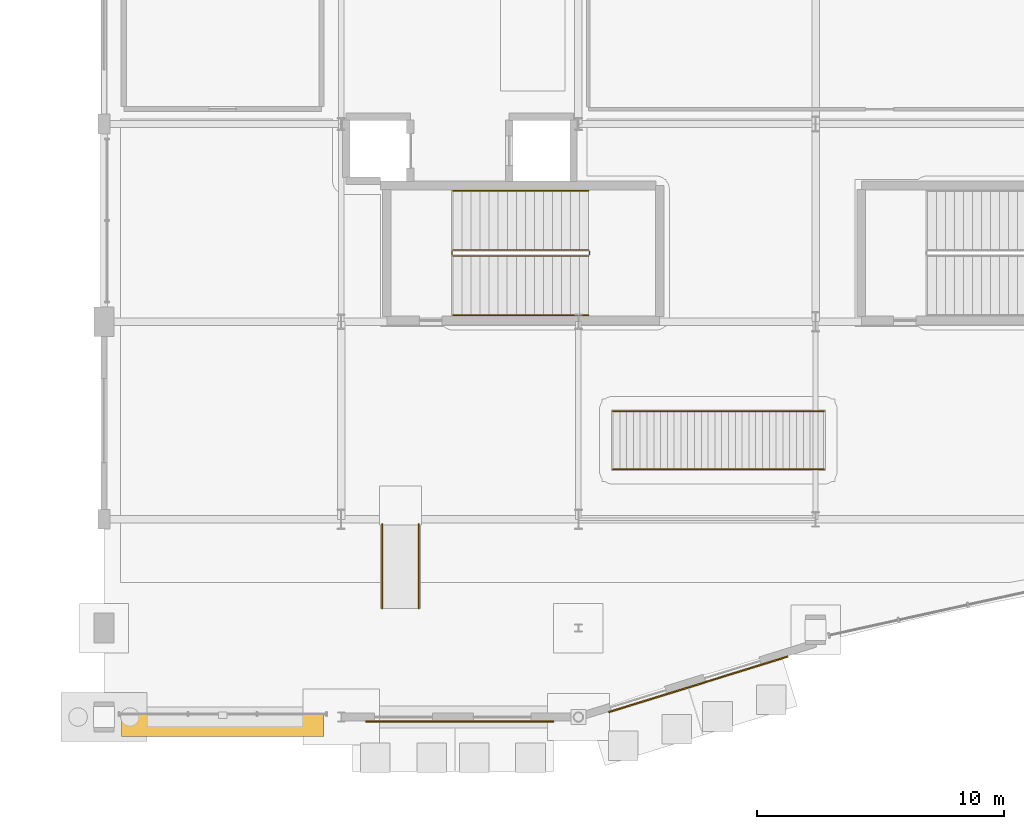
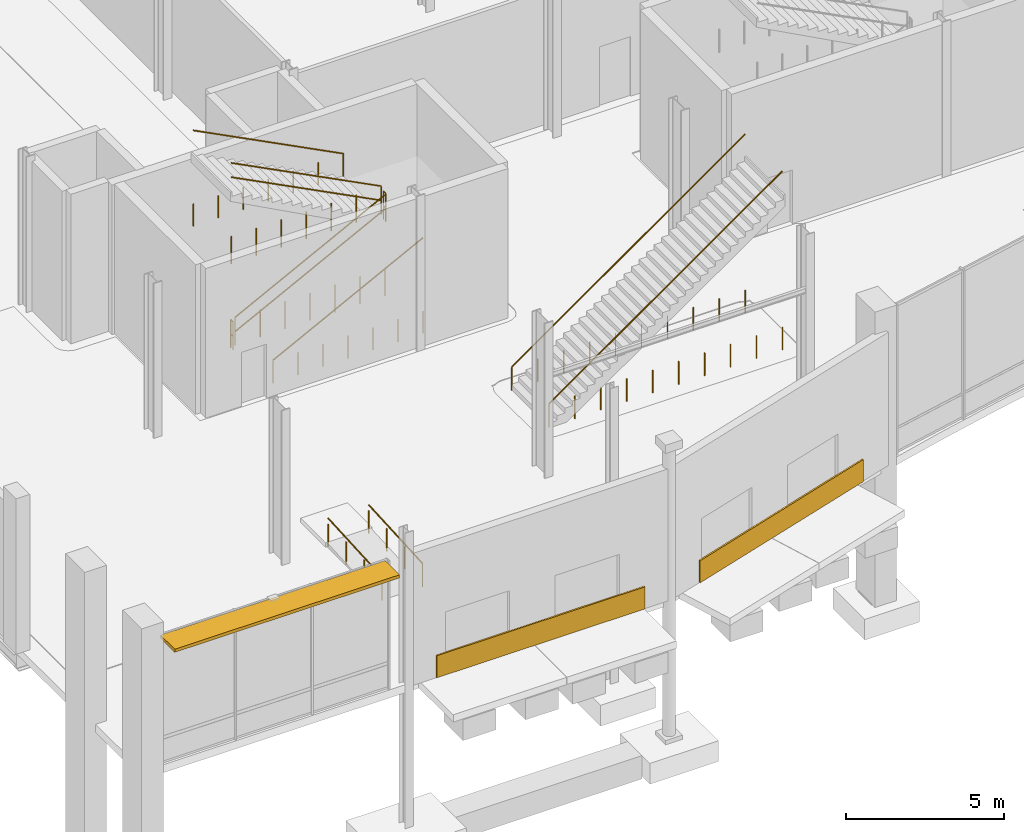
# One storey, part 102 of 124: 10 railings, 2 coverings, 1 shading device.
"""IFC4 building model written with IfcOpenShell, lengths in metres."""

from ifc_helpers import new_model, si_unit, direction, frame, origin, origin_2d, place, context, subcontext, project, spatial, rectangle, circle, extrude, material, layer, layer_set, type_object, element, save


model = new_model("IFC4")

# Units and contexts
model_context = context("Model", 3, precision=1e-05, world=origin(), true_north=direction((0.0, 1.0)))
body_context = subcontext(model_context, "Body", "Model", "MODEL_VIEW")
ifc_project = project(units=[si_unit("LENGTHUNIT", "METRE"), si_unit("AREAUNIT", "SQUARE_METRE"), si_unit("VOLUMEUNIT", "CUBIC_METRE"), si_unit("PLANEANGLEUNIT", "RADIAN"), si_unit("MASSUNIT", "GRAM", prefix="KILO")], contexts=[model_context])

# Site, building, storey
site_placement = place(None, origin())
site = spatial("IfcSite", under=ifc_project, at=site_placement, CompositionType="ELEMENT")
building_placement = place(site_placement, origin())
building = spatial("IfcBuilding", under=site, at=building_placement, Name="Danafjord Basin Convention Centre", CompositionType="ELEMENT")
storey_placement = place(building_placement, origin())
storey = spatial("IfcBuildingStorey", under=building, at=storey_placement, Name="L00", CompositionType="ELEMENT", Elevation=0.0)

# Coverings
ifc_material_1 = material(Name="Board-marked precast concrete rainscreen", Category="concrete")
ifc_layer = layer(ifc_material_1, 0.06005859375)
ifc_layer_set = layer_set([ifc_layer], Name="Board-marked precast concrete rainscreen")
covering_type = type_object("IfcCoveringType", Name="COV-CLAD-PC", PredefinedType="CLADDING", material=ifc_layer_set)
for number, where, z_axis, x_axis, name in (
    (1, (14.39990234375, -0.175048828125, 0.02490234375), (0.0, 0.0, 1.0), (1.0, 0.0, 0.0), "L00 board-marked precast spandrel cladding"),
    (2, (24.052001953125, 1.322998046875, 0.02490234375), (0.0, 0.0, 1.0), (0.955044712757, 0.296461796249, 0.0), "L00 board-marked precast spandrel cladding"),
):
    element("IfcCovering", number, at=place(storey_placement, frame(where, z_axis=z_axis, x_axis=x_axis)), inside=storey, type_object=covering_type, Name=name, PredefinedType="CLADDING", context=body_context, shape_type="SweptSolid", body=[
        extrude(rectangle(XDim=7.60009765625, YDim=0.06005859375, at=origin_2d()), origin(), (0.0, 0.0, 1.0), 0.85009765625),
    ])

# Railings
ifc_material_2 = material(Name="Galvanised steel S355", Category="steel")
railing_type_1 = type_object("IfcRailingType", Name="RL-GD-WELL", PredefinedType="BALUSTRADE", material=ifc_material_2)
railing_1_placement = place(storey_placement, frame((14.1298828125, 18.659912109375, 0.1875)))
element("IfcRailing", 3, at=railing_1_placement, inside=storey, type_object=railing_type_1, Name="L00 ST-01 stair guard 1", PredefinedType="BALUSTRADE", context=body_context, shape_type="SweptSolid", body=[
    extrude(circle(Radius=0.02392578125, at=origin_2d()), frame((0.0, 0.0, 1.076171875), z_axis=(0.889503409663, 0.0, 0.456928532922), x_axis=(0.0, 1.0, 0.0)), (0.0, 0.0, 1.0), 6.1552734375),
    extrude(circle(Radius=0.02392578125, at=origin_2d()), frame((0.0, 0.0, 0.52587890625), z_axis=(0.889503409663, 0.0, 0.456928532922), x_axis=(0.0, 1.0, 0.0)), (0.0, 0.0, 1.0), 6.1552734375),
    extrude(circle(Radius=0.02099609375, at=origin_2d()), origin(), (0.0, 0.0, 1.0), 1.050048828125),
    extrude(circle(Radius=0.02099609375, at=origin_2d()), frame((0.91259765625, 0.0, 0.0)), (0.0, 0.0, 1.0), 1.050048828125),
    extrude(circle(Radius=0.02099609375, at=origin_2d()), frame((1.824951171875, 0.0, 0.0)), (0.0, 0.0, 1.0), 1.050048828125),
    extrude(circle(Radius=0.02099609375, at=origin_2d()), frame((2.737548828125, 0.0, 0.0)), (0.0, 0.0, 1.0), 1.050048828125),
    extrude(circle(Radius=0.02099609375, at=origin_2d()), frame((3.650146484375, 0.0, 0.0)), (0.0, 0.0, 1.0), 1.050048828125),
    extrude(circle(Radius=0.02099609375, at=origin_2d()), frame((4.5625, 0.0, 0.0)), (0.0, 0.0, 1.0), 1.050048828125),
    extrude(circle(Radius=0.02099609375, at=origin_2d()), frame((5.47509765625, 0.0, 0.0)), (0.0, 0.0, 1.0), 1.050048828125),
])
railing_2_placement = place(storey_placement, frame((19.655029296875, 18.7099609375, 3.0)))
element("IfcRailing", 4, at=railing_2_placement, inside=storey, type_object=railing_type_1, Name="L00 ST-01 stair guard 2", PredefinedType="BALUSTRADE", context=body_context, shape_type="SweptSolid", body=[
    extrude(circle(Radius=0.02392578125, at=origin_2d()), frame((0.0, 0.0, 1.076171875), z_axis=(0.0, 1.0, 0.0), x_axis=(-1.0, 0.0, 0.0)), (0.0, 0.0, 1.0), 0.14013671875),
    extrude(circle(Radius=0.02392578125, at=origin_2d()), frame((0.0, 0.0, 0.52587890625), z_axis=(0.0, 1.0, 0.0), x_axis=(-1.0, 0.0, 0.0)), (0.0, 0.0, 1.0), 0.14013671875),
    extrude(circle(Radius=0.02099609375, at=origin_2d()), origin(), (0.0, 0.0, 1.0), 1.050048828125),
    extrude(circle(Radius=0.02099609375, at=origin_2d()), frame((0.0, 0.14013671875, 0.0)), (0.0, 0.0, 1.0), 1.050048828125),
])
railing_3_placement = place(storey_placement, frame((19.60498046875, 18.89990234375, 3.1875)))
element("IfcRailing", 5, at=railing_3_placement, inside=storey, type_object=railing_type_1, Name="L00 ST-01 stair guard 3", PredefinedType="BALUSTRADE", context=body_context, shape_type="SweptSolid", body=[
    extrude(circle(Radius=0.02392578125, at=origin_2d()), frame((0.0, 0.0, 1.076171875), z_axis=(-0.889503409663, 0.0, 0.456928532922), x_axis=(0.0, -1.0, 0.0)), (0.0, 0.0, 1.0), 6.1552734375),
    extrude(circle(Radius=0.02392578125, at=origin_2d()), frame((0.0, 0.0, 0.52587890625), z_axis=(-0.889503409663, 0.0, 0.456928532922), x_axis=(0.0, -1.0, 0.0)), (0.0, 0.0, 1.0), 6.1552734375),
    extrude(circle(Radius=0.02099609375, at=origin_2d()), origin(), (0.0, 0.0, 1.0), 1.050048828125),
    extrude(circle(Radius=0.02099609375, at=origin_2d()), frame((-0.91259765625, 0.0, 0.0)), (0.0, 0.0, 1.0), 1.050048828125),
    extrude(circle(Radius=0.02099609375, at=origin_2d()), frame((-1.824951171875, 0.0, 0.0)), (0.0, 0.0, 1.0), 1.050048828125),
    extrude(circle(Radius=0.02099609375, at=origin_2d()), frame((-2.737548828125, 0.0, 0.0)), (0.0, 0.0, 1.0), 1.050048828125),
    extrude(circle(Radius=0.02099609375, at=origin_2d()), frame((-3.650146484375, 0.0, 0.0)), (0.0, 0.0, 1.0), 1.050048828125),
    extrude(circle(Radius=0.02099609375, at=origin_2d()), frame((-4.5625, 0.0, 0.0)), (0.0, 0.0, 1.0), 1.050048828125),
    extrude(circle(Radius=0.02099609375, at=origin_2d()), frame((-5.47509765625, 0.0, 0.0)), (0.0, 0.0, 1.0), 1.050048828125),
])
railing_4_placement = place(storey_placement, frame((14.080078125, 18.7099609375, 0.0)))
element("IfcRailing", 6, at=railing_4_placement, inside=storey, type_object=railing_type_1, Name="L00 ST-01 stair guard 4", PredefinedType="BALUSTRADE", context=body_context, shape_type="SweptSolid", body=[
    extrude(circle(Radius=0.02392578125, at=origin_2d()), frame((0.0, 0.0, 1.076171875), z_axis=(0.0, 1.0, 0.0), x_axis=(-1.0, 0.0, 0.0)), (0.0, 0.0, 1.0), 0.14013671875),
    extrude(circle(Radius=0.02392578125, at=origin_2d()), frame((0.0, 0.0, 0.52587890625), z_axis=(0.0, 1.0, 0.0), x_axis=(-1.0, 0.0, 0.0)), (0.0, 0.0, 1.0), 0.14013671875),
    extrude(circle(Radius=0.02099609375, at=origin_2d()), origin(), (0.0, 0.0, 1.0), 1.050048828125),
    extrude(circle(Radius=0.02099609375, at=origin_2d()), frame((0.0, 0.14013671875, 0.0)), (0.0, 0.0, 1.0), 1.050048828125),
])
ifc_material_3 = material(Name="Brushed stainless steel EN 1.4404", Category="steel")
railing_type_2 = type_object("IfcRailingType", Name="RL-HR-STAIR", PredefinedType="HANDRAIL", material=ifc_material_3)
railing_5_placement = place(storey_placement, frame((14.1298828125, 16.260009765625, 0.1875)))
element("IfcRailing", 7, at=railing_5_placement, inside=storey, type_object=railing_type_2, Name="L00 ST-01 stair handrail 1", PredefinedType="HANDRAIL", context=body_context, shape_type="SweptSolid", body=[
    extrude(circle(Radius=0.02392578125, at=origin_2d()), frame((0.0, 0.0, 0.8759765625), z_axis=(0.889503409663, 0.0, 0.456928532922), x_axis=(0.0, 1.0, 0.0)), (0.0, 0.0, 1.0), 6.1552734375),
    extrude(circle(Radius=0.02099609375, at=origin_2d()), origin(), (0.0, 0.0, 1.0), 0.849853515625),
    extrude(circle(Radius=0.02099609375, at=origin_2d()), frame((0.91259765625, 0.0, 0.0)), (0.0, 0.0, 1.0), 0.849853515625),
    extrude(circle(Radius=0.02099609375, at=origin_2d()), frame((1.824951171875, 0.0, 0.0)), (0.0, 0.0, 1.0), 0.849853515625),
    extrude(circle(Radius=0.02099609375, at=origin_2d()), frame((2.737548828125, 0.0, 0.0)), (0.0, 0.0, 1.0), 0.849853515625),
    extrude(circle(Radius=0.02099609375, at=origin_2d()), frame((3.650146484375, 0.0, 0.0)), (0.0, 0.0, 1.0), 0.849853515625),
    extrude(circle(Radius=0.02099609375, at=origin_2d()), frame((4.5625, 0.0, 0.0)), (0.0, 0.0, 1.0), 0.849853515625),
    extrude(circle(Radius=0.02099609375, at=origin_2d()), frame((5.47509765625, 0.0, 0.0)), (0.0, 0.0, 1.0), 0.849853515625),
])
railing_6_placement = place(storey_placement, frame((19.60498046875, 21.300048828125, 3.1875)))
element("IfcRailing", 8, at=railing_6_placement, inside=storey, type_object=railing_type_2, Name="L00 ST-01 stair handrail 2", PredefinedType="HANDRAIL", context=body_context, shape_type="SweptSolid", body=[
    extrude(circle(Radius=0.02392578125, at=origin_2d()), frame((0.0, 0.0, 0.8759765625), z_axis=(-0.889503409663, 0.0, 0.456928532922), x_axis=(0.0, -1.0, 0.0)), (0.0, 0.0, 1.0), 6.1552734375),
    extrude(circle(Radius=0.02099609375, at=origin_2d()), origin(), (0.0, 0.0, 1.0), 0.849853515625),
    extrude(circle(Radius=0.02099609375, at=origin_2d()), frame((-0.91259765625, 0.0, 0.0)), (0.0, 0.0, 1.0), 0.849853515625),
    extrude(circle(Radius=0.02099609375, at=origin_2d()), frame((-1.824951171875, 0.0, 0.0)), (0.0, 0.0, 1.0), 0.849853515625),
    extrude(circle(Radius=0.02099609375, at=origin_2d()), frame((-2.737548828125, 0.0, 0.0)), (0.0, 0.0, 1.0), 0.849853515625),
    extrude(circle(Radius=0.02099609375, at=origin_2d()), frame((-3.650146484375, 0.0, 0.0)), (0.0, 0.0, 1.0), 0.849853515625),
    extrude(circle(Radius=0.02099609375, at=origin_2d()), frame((-4.5625, 0.0, 0.0)), (0.0, 0.0, 1.0), 0.849853515625),
    extrude(circle(Radius=0.02099609375, at=origin_2d()), frame((-5.47509765625, 0.0, 0.0)), (0.0, 0.0, 1.0), 0.849853515625),
])
for number, where, name in (
    (9, (20.60009765625, 12.375, 0.0), "Grand Registration West Feature Stair handrail L"),
    (10, (20.60009765625, 10.02490234375, 0.0), "Grand Registration West Feature Stair handrail R"),
):
    element("IfcRailing", number, at=place(storey_placement, frame(where)), inside=storey, type_object=railing_type_2, Name=name, PredefinedType="HANDRAIL", context=body_context, shape_type="SweptSolid", body=[
        extrude(circle(Radius=0.02392578125, at=origin_2d()), frame((0.0, 0.0, 0.89599609375), z_axis=(0.817761511564, 0.0, 0.575557217143), x_axis=(0.0, 1.0, 0.0)), (0.0, 0.0, 1.0), 10.424560546875),
        extrude(circle(Radius=0.02099609375, at=origin_2d()), origin(), (0.0, 0.0, 1.0), 0.869873046875),
        extrude(circle(Radius=0.02099609375, at=origin_2d()), frame((0.947265625, 0.0, 0.0)), (0.0, 0.0, 1.0), 0.869873046875),
        extrude(circle(Radius=0.02099609375, at=origin_2d()), frame((1.89453125, 0.0, 0.0)), (0.0, 0.0, 1.0), 0.869873046875),
        extrude(circle(Radius=0.02099609375, at=origin_2d()), frame((2.841552734375, 0.0, 0.0)), (0.0, 0.0, 1.0), 0.869873046875),
        extrude(circle(Radius=0.02099609375, at=origin_2d()), frame((3.788818359375, 0.0, 0.0)), (0.0, 0.0, 1.0), 0.869873046875),
        extrude(circle(Radius=0.02099609375, at=origin_2d()), frame((4.736083984375, 0.0, 0.0)), (0.0, 0.0, 1.0), 0.869873046875),
        extrude(circle(Radius=0.02099609375, at=origin_2d()), frame((5.683349609375, 0.0, 0.0)), (0.0, 0.0, 1.0), 0.869873046875),
        extrude(circle(Radius=0.02099609375, at=origin_2d()), frame((6.63037109375, 0.0, 0.0)), (0.0, 0.0, 1.0), 0.869873046875),
        extrude(circle(Radius=0.02099609375, at=origin_2d()), frame((7.57763671875, 0.0, 0.0)), (0.0, 0.0, 1.0), 0.869873046875),
        extrude(circle(Radius=0.02099609375, at=origin_2d()), frame((8.52490234375, 0.0, 0.0)), (0.0, 0.0, 1.0), 0.869873046875),
    ])
for number, where, name in (
    (11, (11.260009765625, 4.39990234375, 0.0), "AR-01 handrail L"),
    (12, (12.739990234375, 4.39990234375, 0.0), "AR-01 handrail R"),
):
    element("IfcRailing", number, at=place(storey_placement, frame(where)), inside=storey, type_object=railing_type_2, Name=name, PredefinedType="HANDRAIL", context=body_context, shape_type="SweptSolid", body=[
        extrude(circle(Radius=0.02392578125, at=origin_2d()), frame((0.0, 0.0, 0.89599609375), z_axis=(0.0, 0.998275361711, 0.058705214421), x_axis=(-1.0, 0.0, 0.0)), (0.0, 0.0, 1.0), 3.406005859375),
        extrude(circle(Radius=0.02099609375, at=origin_2d()), origin(), (0.0, 0.0, 1.0), 0.869873046875),
        extrude(circle(Radius=0.02099609375, at=origin_2d()), frame((0.0, 1.13330078125, 0.0)), (0.0, 0.0, 1.0), 0.869873046875),
        extrude(circle(Radius=0.02099609375, at=origin_2d()), frame((0.0, 2.266845703125, 0.0)), (0.0, 0.0, 1.0), 0.869873046875),
        extrude(circle(Radius=0.02099609375, at=origin_2d()), frame((0.0, 3.400146484375, 0.0)), (0.0, 0.0, 1.0), 0.869873046875),
    ])

# Shading device
ifc_material_4 = material(Name="Anodised aluminium aerofoil sunshade", Category="aluminium")
shading_device_type = type_object("IfcShadingDeviceType", Name="SHD-SUN-A", PredefinedType="USERDEFINED", material=ifc_material_4)
shading_device_placement = place(storey_placement, frame((4.800048828125, -0.340087890625, 4.829833984375), z_axis=(0.0, 0.0, 1.0), x_axis=(1.0, 0.0, 0.0)))
element("IfcShadingDevice", 13, at=shading_device_placement, inside=storey, type_object=shading_device_type, Name="L00 cantilevered harbour sunshade 1", ObjectType="SUNSHADE", PredefinedType="USERDEFINED", context=body_context, shape_type="SweptSolid", body=[
    extrude(rectangle(XDim=8.199951171875, YDim=0.89990234375, at=origin_2d()), origin(), (0.0, 0.0, 1.0), 0.1201171875),
])

save(model, "model.ifc")
